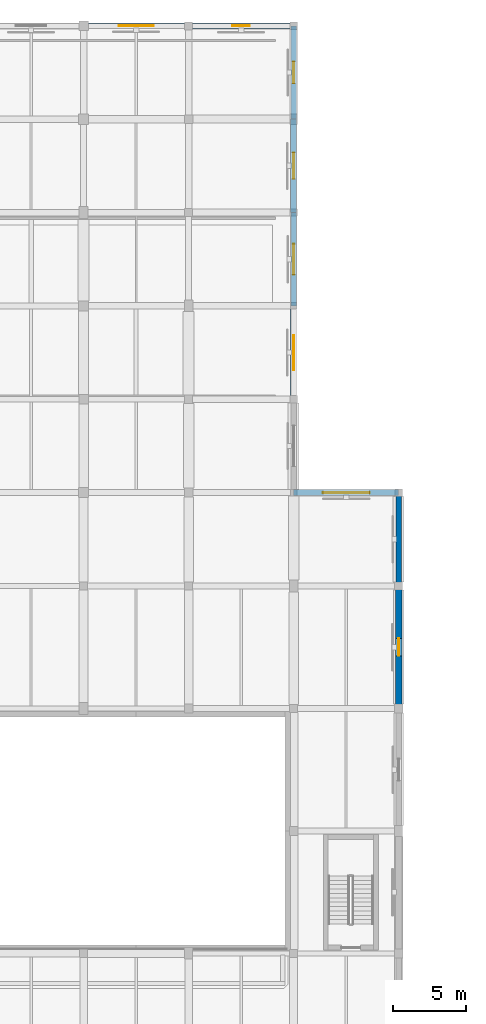
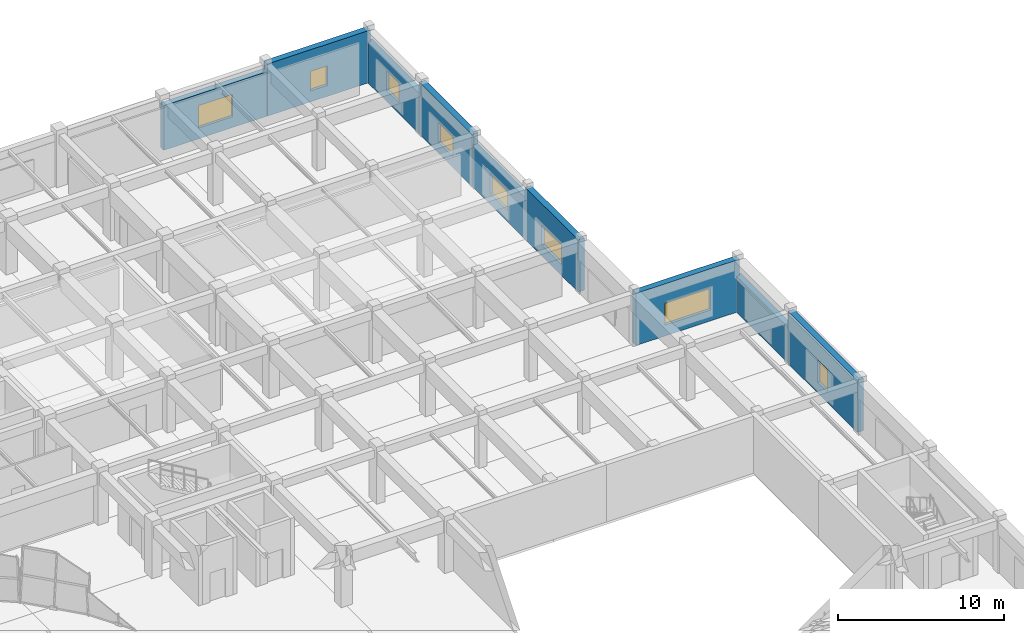
# One storey, part 54 of 71: 9 walls, 8 windows, 8 openings.
"""IFC4 building model written with IfcOpenShell, lengths in metres."""

from ifc_helpers import new_model, si_unit, direction, frame, frame_2d, origin, place, context, subcontext, project, spatial, rectangle, extrude, material, layer, layer_set, type_object, element, fill, save


model = new_model("IFC4")

# Units and contexts
model_context = context("Model", 3, precision=1e-05, world=origin(), true_north=direction((0.0, 1.0)))
body_context = subcontext(model_context, "Body", "Model", "MODEL_VIEW")
ifc_project = project(units=[si_unit("LENGTHUNIT", "METRE"), si_unit("AREAUNIT", "SQUARE_METRE"), si_unit("VOLUMEUNIT", "CUBIC_METRE"), si_unit("PLANEANGLEUNIT", "RADIAN"), si_unit("MASSUNIT", "GRAM", prefix="KILO")], contexts=[model_context])

# Site, building, storey
site_placement = place(None, origin())
site = spatial("IfcSite", under=ifc_project, at=site_placement, CompositionType="ELEMENT")
building_placement = place(site_placement, origin())
building = spatial("IfcBuilding", under=site, at=building_placement, Name="Korsvaeld Concert Hall", CompositionType="ELEMENT")
storey_placement = place(building_placement, frame((0.0, 0.0, 4.800048828125)))
storey = spatial("IfcBuildingStorey", under=building, at=storey_placement, Name="L01", CompositionType="ELEMENT", Elevation=4.800048828125)

# Wall, opening, window
ifc_material_1 = material(Name="Obernkirchener buff sandstone rainscreen on Concrete C35/45", Category="masonry")
ifc_layer_1 = layer(ifc_material_1, 0.389892578125)
ifc_layer_set_1 = layer_set([ifc_layer_1], Name="Obernkirchener buff sandstone rainscreen on Concrete C35/45")
wall_type_1 = type_object("IfcWallType", Name="WL-EXT-BUFF-390", PredefinedType="STANDARD", material=ifc_layer_set_1)
wall_1_placement = place(storey_placement, frame((132.0, 115.199951171875, 0.0), z_axis=(0.0, 0.0, 1.0), x_axis=(1.0, 0.0, 0.0)))
wall_1 = element("IfcWall", 1, at=wall_1_placement, inside=storey, type_object=wall_type_1, Name="Exterior sandstone wall L01-169", PredefinedType="STANDARD", context=body_context, shape_type="SweptSolid", body=[
    extrude(rectangle(XDim=7.199951171875, YDim=0.389892578125, at=frame_2d((3.60009765625, 0.0))), origin(), (0.0, 0.0, 1.0), 3.2900390625),
])
opening_1_placement = place(wall_1_placement, frame((2.39990234375, 0.0, 0.800048828125)))
opening_1 = element("IfcOpeningElement", 2, at=opening_1_placement, cuts=wall_1, Name="Opening WN-05", PredefinedType="OPENING", context=body_context, shape_type="SweptSolid", body=[
    extrude(rectangle(XDim=2.39990234375, YDim=1.64990234375, at=frame_2d((1.199951171875, 0.824951171875))), frame((0.0, 0.205078125, 0.0), z_axis=(0.0, -1.0, 0.0), x_axis=(1.0, 0.0, 0.0)), (0.0, 0.0, 1.0), 0.409912109375),
])
ifc_material_2 = material(Name="Anodised bronze frame with acoustic triple glazing", Category="glass")
window_type_1 = type_object("IfcWindowType", Name="WIN-AC-240x165", PartitioningType="TRIPLE_PANEL_VERTICAL", PredefinedType="WINDOW", material=ifc_material_2)
window_1_placement = place(opening_1_placement, origin())
window_1 = element("IfcWindow", 3, at=window_1_placement, inside=storey, type_object=window_type_1, Name="Acoustic triple-glazed window L01-079", OverallHeight=1.64990234375, OverallWidth=2.39990234375, PartitioningType="TRIPLE_PANEL_VERTICAL", PredefinedType="WINDOW", context=body_context, shape_type="SweptSolid", body=[
    extrude(rectangle(XDim=2.39990234375, YDim=1.64990234375, at=frame_2d((1.199951171875, 0.824951171875))), frame((0.0, 0.030029296875, 0.0), z_axis=(0.0, -1.0, 0.0), x_axis=(1.0, 0.0, 0.0)), (0.0, 0.0, 1.0), 0.06005859375),
])
fill(opening_1, window_1)

wall_2_placement = place(storey_placement, frame((146.39990234375, 115.199951171875, 0.0), z_axis=(0.0, 0.0, 1.0), x_axis=(0.0, -1.0, 0.0)))
wall_2 = element("IfcWall", 4, at=wall_2_placement, inside=storey, type_object=wall_type_1, Name="Exterior sandstone wall L01-171", PredefinedType="STANDARD", context=body_context, shape_type="SweptSolid", body=[
    extrude(rectangle(XDim=6.39990234375, YDim=0.389892578125, at=frame_2d((3.199951171875, 0.0))), origin(), (0.0, 0.0, 1.0), 2.989990234375),
])
opening_2_placement = place(wall_2_placement, frame((2.449951171875, 0.0, 0.800048828125)))
opening_2 = element("IfcOpeningElement", 5, at=opening_2_placement, cuts=wall_2, Name="Opening WN-07", PredefinedType="OPENING", context=body_context, shape_type="SweptSolid", body=[
    extrude(rectangle(XDim=1.5, YDim=1.449951171875, at=frame_2d((0.75, 0.72509765625))), frame((0.0, 0.205078125, 0.0), z_axis=(0.0, -1.0, 0.0), x_axis=(1.0, 0.0, 0.0)), (0.0, 0.0, 1.0), 0.409912109375),
])
window_type_2 = type_object("IfcWindowType", Name="WIN-AC-150x145", PartitioningType="SINGLE_PANEL", PredefinedType="WINDOW", material=ifc_material_2)
window_2_placement = place(opening_2_placement, origin())
window_2 = element("IfcWindow", 6, at=window_2_placement, inside=storey, type_object=window_type_2, Name="Acoustic triple-glazed window L01-081", OverallHeight=1.449951171875, OverallWidth=1.5, PartitioningType="SINGLE_PANEL", PredefinedType="WINDOW", context=body_context, shape_type="SweptSolid", body=[
    extrude(rectangle(XDim=1.5, YDim=1.449951171875, at=frame_2d((0.75, 0.72509765625))), frame((0.0, 0.030029296875, 0.0), z_axis=(0.0, -1.0, 0.0), x_axis=(1.0, 0.0, 0.0)), (0.0, 0.0, 1.0), 0.06005859375),
])
fill(opening_2, window_2)

wall_3_placement = place(storey_placement, frame((146.39990234375, 102.39990234375, 0.0), z_axis=(0.0, 0.0, 1.0), x_axis=(0.0, -1.0, 0.0)))
wall_3 = element("IfcWall", 7, at=wall_3_placement, inside=storey, type_object=wall_type_1, Name="Exterior sandstone wall L01-173", PredefinedType="STANDARD", context=body_context, shape_type="SweptSolid", body=[
    extrude(rectangle(XDim=6.39990234375, YDim=0.389892578125, at=frame_2d((3.199951171875, 0.0))), origin(), (0.0, 0.0, 1.0), 3.0400390625),
])
opening_3_placement = place(wall_3_placement, frame((2.14990234375, 0.0, 0.800048828125)))
opening_3 = element("IfcOpeningElement", 8, at=opening_3_placement, cuts=wall_3, Name="Opening WN-09", PredefinedType="OPENING", context=body_context, shape_type="SweptSolid", body=[
    extrude(rectangle(XDim=2.10009765625, YDim=1.449951171875, at=frame_2d((1.050048828125, 0.72509765625))), frame((0.0, 0.205078125, 0.0), z_axis=(0.0, -1.0, 0.0), x_axis=(1.0, 0.0, 0.0)), (0.0, 0.0, 1.0), 0.409912109375),
])
window_type_3 = type_object("IfcWindowType", Name="WIN-AC-210x145", PartitioningType="SINGLE_PANEL", PredefinedType="WINDOW", material=ifc_material_2)
window_3_placement = place(opening_3_placement, origin())
window_3 = element("IfcWindow", 9, at=window_3_placement, inside=storey, type_object=window_type_3, Name="Acoustic triple-glazed window L01-083", OverallHeight=1.449951171875, OverallWidth=2.10009765625, PartitioningType="SINGLE_PANEL", PredefinedType="WINDOW", context=body_context, shape_type="SweptSolid", body=[
    extrude(rectangle(XDim=2.10009765625, YDim=1.449951171875, at=frame_2d((1.050048828125, 0.72509765625))), frame((0.0, 0.030029296875, 0.0), z_axis=(0.0, -1.0, 0.0), x_axis=(1.0, 0.0, 0.0)), (0.0, 0.0, 1.0), 0.06005859375),
])
fill(opening_3, window_3)

# Wall
wall_4_placement = place(storey_placement, frame((153.60009765625, 83.199951171875, 0.0), z_axis=(0.0, 0.0, 1.0), x_axis=(0.0, -1.0, 0.0)))
element("IfcWall", 10, at=wall_4_placement, inside=storey, type_object=wall_type_1, Name="Exterior sandstone wall L01-177", PredefinedType="STANDARD", context=body_context, shape_type="SweptSolid", body=[
    extrude(rectangle(XDim=6.39990234375, YDim=0.389892578125, at=frame_2d((3.199951171875, 0.0))), origin(), (0.0, 0.0, 1.0), 2.639892578125),
])

# Wall, opening, window
ifc_material_3 = material(Name="Bornholm Nexo rose-red sandstone rainscreen on Concrete C35/45", Category="masonry")
ifc_layer_2 = layer(ifc_material_3, 0.419921875)
ifc_layer_set_2 = layer_set([ifc_layer_2], Name="Bornholm Nexo rose-red sandstone rainscreen on Concrete C35/45")
wall_type_2 = type_object("IfcWallType", Name="WL-EXT-NEXO-420", PredefinedType="STANDARD", material=ifc_layer_set_2)
wall_5_placement = place(storey_placement, frame((139.199951171875, 115.199951171875, 0.0), z_axis=(0.0, 0.0, 1.0), x_axis=(1.0, 0.0, 0.0)))
wall_5 = element("IfcWall", 11, at=wall_5_placement, inside=storey, type_object=wall_type_2, Name="Exterior sandstone wall L01-170", PredefinedType="STANDARD", context=body_context, shape_type="SweptSolid", body=[
    extrude(rectangle(XDim=7.199951171875, YDim=0.419921875, at=frame_2d((3.60009765625, 0.0))), origin(), (0.0, 0.0, 1.0), 3.83984375),
])
opening_4_placement = place(wall_5_placement, frame((3.0, 0.0, 0.800048828125)))
opening_4 = element("IfcOpeningElement", 12, at=opening_4_placement, cuts=wall_5, Name="Opening WN-06", PredefinedType="OPENING", context=body_context, shape_type="SweptSolid", body=[
    extrude(rectangle(XDim=1.199951171875, YDim=1.449951171875, at=frame_2d((0.60009765625, 0.72509765625))), frame((0.0, 0.219970703125, 0.0), z_axis=(0.0, -1.0, 0.0), x_axis=(1.0, 0.0, 0.0)), (0.0, 0.0, 1.0), 0.43994140625),
])
window_type_4 = type_object("IfcWindowType", Name="WIN-AC-120x145", PartitioningType="SINGLE_PANEL", PredefinedType="WINDOW", material=ifc_material_2)
window_4_placement = place(opening_4_placement, origin())
window_4 = element("IfcWindow", 13, at=window_4_placement, inside=storey, type_object=window_type_4, Name="Acoustic triple-glazed window L01-080", OverallHeight=1.449951171875, OverallWidth=1.199951171875, PartitioningType="SINGLE_PANEL", PredefinedType="WINDOW", context=body_context, shape_type="SweptSolid", body=[
    extrude(rectangle(XDim=1.199951171875, YDim=1.449951171875, at=frame_2d((0.60009765625, 0.72509765625))), frame((0.0, 0.030029296875, 0.0), z_axis=(0.0, -1.0, 0.0), x_axis=(1.0, 0.0, 0.0)), (0.0, 0.0, 1.0), 0.06005859375),
])
fill(opening_4, window_4)

wall_6_placement = place(storey_placement, frame((146.39990234375, 108.800048828125, 0.0), z_axis=(0.0, 0.0, 1.0), x_axis=(0.0, -1.0, 0.0)))
wall_6 = element("IfcWall", 14, at=wall_6_placement, inside=storey, type_object=wall_type_2, Name="Exterior sandstone wall L01-172", PredefinedType="STANDARD", context=body_context, shape_type="SweptSolid", body=[
    extrude(rectangle(XDim=6.400146484375, YDim=0.419921875, at=frame_2d((3.2001953125, 0.0))), origin(), (0.0, 0.0, 1.0), 3.83984375),
])
opening_5_placement = place(wall_6_placement, frame((2.300048828125, 0.0, 0.800048828125)))
opening_5 = element("IfcOpeningElement", 15, at=opening_5_placement, cuts=wall_6, Name="Opening WN-08", PredefinedType="OPENING", context=body_context, shape_type="SweptSolid", body=[
    extrude(rectangle(XDim=1.800048828125, YDim=1.449951171875, at=frame_2d((0.89990234375, 0.72509765625))), frame((0.0, 0.219970703125, 0.0), z_axis=(0.0, -1.0, 0.0), x_axis=(1.0, 0.0, 0.0)), (0.0, 0.0, 1.0), 0.43994140625),
])
window_type_5 = type_object("IfcWindowType", Name="WIN-AC-180x145", PartitioningType="SINGLE_PANEL", PredefinedType="WINDOW", material=ifc_material_2)
window_5_placement = place(opening_5_placement, origin())
window_5 = element("IfcWindow", 16, at=window_5_placement, inside=storey, type_object=window_type_5, Name="Acoustic triple-glazed window L01-082", OverallHeight=1.449951171875, OverallWidth=1.800048828125, PartitioningType="SINGLE_PANEL", PredefinedType="WINDOW", context=body_context, shape_type="SweptSolid", body=[
    extrude(rectangle(XDim=1.800048828125, YDim=1.449951171875, at=frame_2d((0.89990234375, 0.72509765625))), frame((0.0, 0.030029296875, 0.0), z_axis=(0.0, -1.0, 0.0), x_axis=(1.0, 0.0, 0.0)), (0.0, 0.0, 1.0), 0.06005859375),
])
fill(opening_5, window_5)

wall_7_placement = place(storey_placement, frame((146.39990234375, 96.0, 0.0), z_axis=(0.0, 0.0, 1.0), x_axis=(0.0, -1.0, 0.0)))
wall_7 = element("IfcWall", 17, at=wall_7_placement, inside=storey, type_object=wall_type_2, Name="Exterior sandstone wall L01-174", PredefinedType="STANDARD", context=body_context, shape_type="SweptSolid", body=[
    extrude(rectangle(XDim=6.39990234375, YDim=0.419921875, at=frame_2d((3.199951171875, 0.0))), origin(), (0.0, 0.0, 1.0), 3.83984375),
])
opening_6_placement = place(wall_7_placement, frame((2.0, 0.0, 0.800048828125)))
opening_6 = element("IfcOpeningElement", 18, at=opening_6_placement, cuts=wall_7, Name="Opening WN-10", PredefinedType="OPENING", context=body_context, shape_type="SweptSolid", body=[
    extrude(rectangle(XDim=2.39990234375, YDim=1.449951171875, at=frame_2d((1.199951171875, 0.72509765625))), frame((0.0, 0.219970703125, 0.0), z_axis=(0.0, -1.0, 0.0), x_axis=(1.0, 0.0, 0.0)), (0.0, 0.0, 1.0), 0.43994140625),
])
window_type_6 = type_object("IfcWindowType", Name="WIN-AC-240x145", PartitioningType="TRIPLE_PANEL_VERTICAL", PredefinedType="WINDOW", material=ifc_material_2)
window_6_placement = place(opening_6_placement, origin())
window_6 = element("IfcWindow", 19, at=window_6_placement, inside=storey, type_object=window_type_6, Name="Acoustic triple-glazed window L01-084", OverallHeight=1.449951171875, OverallWidth=2.39990234375, PartitioningType="TRIPLE_PANEL_VERTICAL", PredefinedType="WINDOW", context=body_context, shape_type="SweptSolid", body=[
    extrude(rectangle(XDim=2.39990234375, YDim=1.449951171875, at=frame_2d((1.199951171875, 0.72509765625))), frame((0.0, 0.030029296875, 0.0), z_axis=(0.0, -1.0, 0.0), x_axis=(1.0, 0.0, 0.0)), (0.0, 0.0, 1.0), 0.06005859375),
])
fill(opening_6, window_6)

wall_8_placement = place(storey_placement, frame((146.39990234375, 83.199951171875, 0.0), z_axis=(0.0, 0.0, 1.0), x_axis=(1.0, 0.0, 0.0)))
wall_8 = element("IfcWall", 20, at=wall_8_placement, inside=storey, type_object=wall_type_2, Name="Exterior sandstone wall L01-176", PredefinedType="STANDARD", context=body_context, shape_type="SweptSolid", body=[
    extrude(rectangle(XDim=7.2001953125, YDim=0.419921875, at=frame_2d((3.60009765625, 0.0))), origin(), (0.0, 0.0, 1.0), 3.83984375),
])
opening_7_placement = place(wall_8_placement, frame((2.0, 0.0, 0.800048828125)))
opening_7 = element("IfcOpeningElement", 21, at=opening_7_placement, cuts=wall_8, Name="Opening WN-15", PredefinedType="OPENING", context=body_context, shape_type="SweptSolid", body=[
    extrude(rectangle(XDim=3.199951171875, YDim=1.60009765625, at=frame_2d((1.60009765625, 0.800048828125))), frame((0.0, 0.219970703125, 0.0), z_axis=(0.0, -1.0, 0.0), x_axis=(1.0, 0.0, 0.0)), (0.0, 0.0, 1.0), 0.43994140625),
])
window_type_7 = type_object("IfcWindowType", Name="WIN-AC-320x160", PartitioningType="TRIPLE_PANEL_VERTICAL", PredefinedType="WINDOW", material=ifc_material_2)
window_7_placement = place(opening_7_placement, origin())
window_7 = element("IfcWindow", 22, at=window_7_placement, inside=storey, type_object=window_type_7, Name="Acoustic triple-glazed window L01-086", OverallHeight=1.60009765625, OverallWidth=3.199951171875, PartitioningType="TRIPLE_PANEL_VERTICAL", PredefinedType="WINDOW", context=body_context, shape_type="SweptSolid", body=[
    extrude(rectangle(XDim=3.199951171875, YDim=1.60009765625, at=frame_2d((1.60009765625, 0.800048828125))), frame((0.0, 0.030029296875, 0.0), z_axis=(0.0, -1.0, 0.0), x_axis=(1.0, 0.0, 0.0)), (0.0, 0.0, 1.0), 0.06005859375),
])
fill(opening_7, window_7)

wall_9_placement = place(storey_placement, frame((153.60009765625, 76.800048828125, 0.0), z_axis=(0.0, 0.0, 1.0), x_axis=(0.0, -1.0, 0.0)))
wall_9 = element("IfcWall", 23, at=wall_9_placement, inside=storey, type_object=wall_type_2, Name="Exterior sandstone wall L01-178", PredefinedType="STANDARD", context=body_context, shape_type="SweptSolid", body=[
    extrude(rectangle(XDim=8.400146484375, YDim=0.419921875, at=frame_2d((4.2001953125, 0.0))), origin(), (0.0, 0.0, 1.0), 3.83984375),
])
opening_8_placement = place(wall_9_placement, frame((3.60009765625, 0.0, 0.800048828125)))
opening_8 = element("IfcOpeningElement", 24, at=opening_8_placement, cuts=wall_9, Name="Opening WN-01", PredefinedType="OPENING", context=body_context, shape_type="SweptSolid", body=[
    extrude(rectangle(XDim=1.199951171875, YDim=1.64990234375, at=frame_2d((0.60009765625, 0.824951171875))), frame((0.0, 0.219970703125, 0.0), z_axis=(0.0, -1.0, 0.0), x_axis=(1.0, 0.0, 0.0)), (0.0, 0.0, 1.0), 0.43994140625),
])
window_type_8 = type_object("IfcWindowType", Name="WIN-AC-120x165", PartitioningType="SINGLE_PANEL", PredefinedType="WINDOW", material=ifc_material_2)
window_8_placement = place(opening_8_placement, origin())
window_8 = element("IfcWindow", 25, at=window_8_placement, inside=storey, type_object=window_type_8, Name="Acoustic triple-glazed window L01-088", OverallHeight=1.64990234375, OverallWidth=1.199951171875, PartitioningType="SINGLE_PANEL", PredefinedType="WINDOW", context=body_context, shape_type="SweptSolid", body=[
    extrude(rectangle(XDim=1.199951171875, YDim=1.64990234375, at=frame_2d((0.60009765625, 0.824951171875))), frame((0.0, 0.030029296875, 0.0), z_axis=(0.0, -1.0, 0.0), x_axis=(1.0, 0.0, 0.0)), (0.0, 0.0, 1.0), 0.06005859375),
])
fill(opening_8, window_8)

save(model, "model.ifc")
